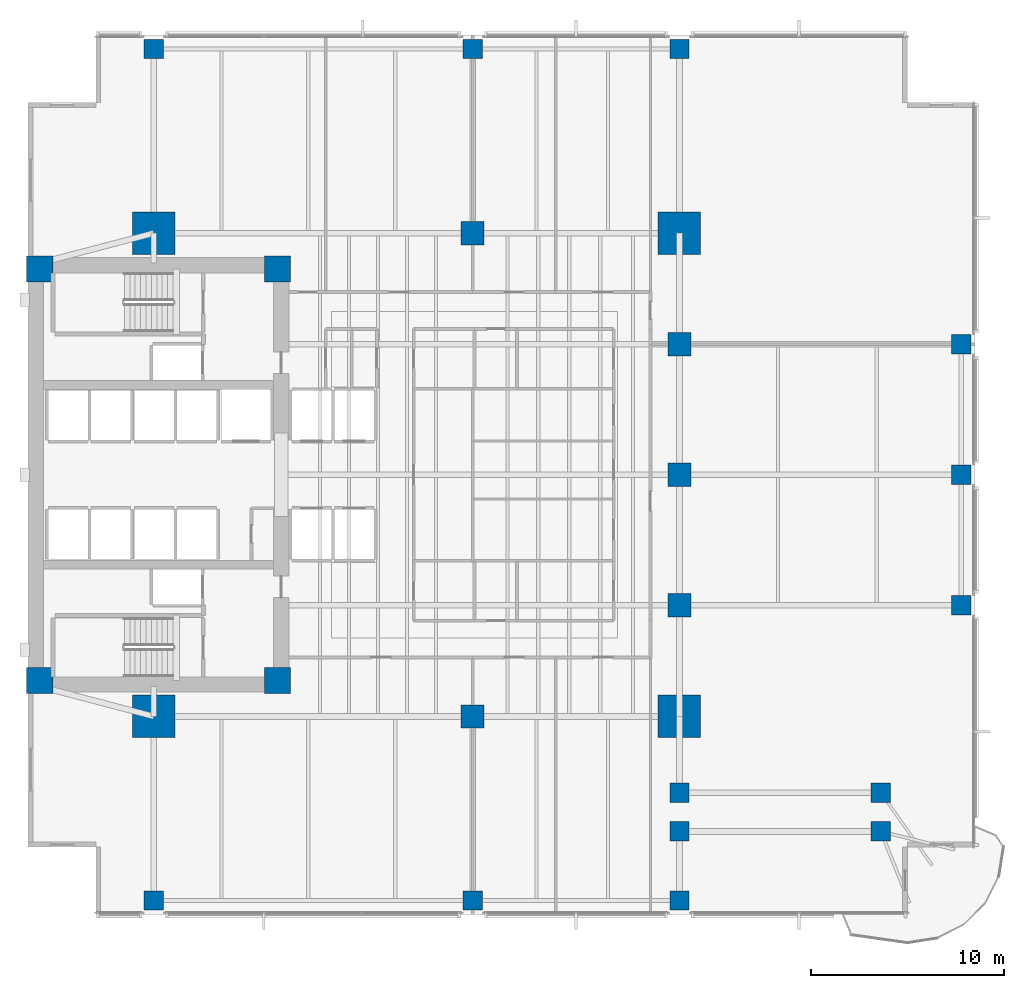
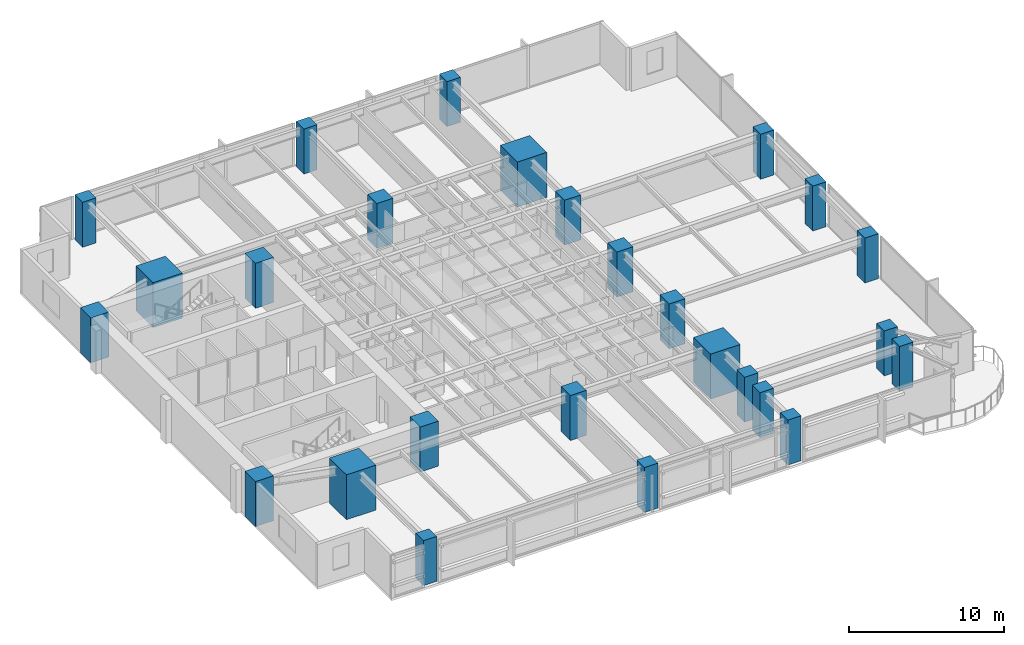
# One storey, part 1 of 15: 26 columns.
"""IFC4 building model written with IfcOpenShell, lengths in metres."""

from ifc_helpers import new_model, si_unit, direction, frame, origin, origin_2d, place, context, subcontext, project, spatial, rectangle, extrude, material, material_profile, profile_set, type_object, element, save


model = new_model("IFC4")

# Units and contexts
model_context = context("Model", 3, precision=1e-05, world=origin(), true_north=direction((0.0, 1.0)))
body_context = subcontext(model_context, "Body", "Model", "MODEL_VIEW")
ifc_project = project(units=[si_unit("LENGTHUNIT", "METRE"), si_unit("AREAUNIT", "SQUARE_METRE"), si_unit("VOLUMEUNIT", "CUBIC_METRE"), si_unit("PLANEANGLEUNIT", "RADIAN"), si_unit("MASSUNIT", "GRAM", prefix="KILO")], contexts=[model_context])

# Site, building, storey
site_placement = place(None, origin())
site = spatial("IfcSite", under=ifc_project, at=site_placement, CompositionType="ELEMENT")
building_placement = place(site_placement, origin())
building = spatial("IfcBuilding", under=site, at=building_placement, Name="Kinhvarn Gate Tower", CompositionType="ELEMENT")
storey_placement = place(building_placement, frame((0.0, 0.0, 75.300048828125)))
storey = spatial("IfcBuildingStorey", under=building, at=storey_placement, Name="L19", CompositionType="ELEMENT", Elevation=75.300048828125)

# Columns
ifc_material_1 = material(Name="Concrete C70/85", Category="concrete")
ifc_material_profile_1 = material_profile(ifc_material_1, rectangle(XDim=2.199951171875, YDim=2.199951171875, at=origin_2d()), Name="RC 2200x2200")
ifc_profile_set_1 = profile_set([ifc_material_profile_1], Name="Concrete C70/85")
column_type_1 = type_object("IfcColumnType", Name="COL-MC-2200", PredefinedType="COLUMN", material=ifc_profile_set_1)
for number, where, z_axis, x_axis, name in (
    (1, (11.0, 12.75, 0.0), (0.0, 0.0, 1.0), (1.0, 0.0, 0.0), "Column MC1-L19 (MC-22)"),
    (2, (11.0, 37.75, 0.0), (0.0, 0.0, 1.0), (1.0, 0.0, 0.0), "Column MC4-L19 (MC-22)"),
    (3, (38.199951171875, 12.75, 0.0), (0.0, 0.0, 1.0), (1.0, 0.0, 0.0), "Column MC2-L19 (MC-22)"),
    (4, (38.199951171875, 37.75, 0.0), (0.0, 0.0, 1.0), (1.0, 0.0, 0.0), "Column MC3-L19 (MC-22)"),
):
    element("IfcColumn", number, at=place(storey_placement, frame(where, z_axis=z_axis, x_axis=x_axis)), inside=storey, type_object=column_type_1, Name=name, PredefinedType="COLUMN", context=body_context, shape_type="SweptSolid", body=[
        extrude(rectangle(XDim=2.199951171875, YDim=2.199951171875, at=origin_2d()), origin(), (0.0, 0.0, 1.0), 3.550048828125),
    ])
ifc_material_2 = material(Name="Concrete C60/75", Category="concrete")
ifc_material_profile_2 = material_profile(ifc_material_2, rectangle(XDim=1.0, YDim=1.0, at=origin_2d()), Name="RC 1000x1000")
ifc_profile_set_2 = profile_set([ifc_material_profile_2], Name="Concrete C60/75")
column_type_2 = type_object("IfcColumnType", Name="COL-RC-1000", PredefinedType="COLUMN", material=ifc_profile_set_2)
for number, where, z_axis, x_axis, name in (
    (5, (48.6201171875, 6.800048828125, 0.0), (0.0, 0.0, 1.0), (1.0, 0.0, 0.0), "Column CS-SE1-L19 (C-100)"),
    (6, (38.199951171875, 6.800048828125, 0.0), (0.0, 0.0, 1.0), (1.0, 0.0, 0.0), "Column CS-ANC68-L19 (C-100)"),
    (7, (38.199951171875, 8.800048828125, 0.0), (0.0, 0.0, 1.0), (1.0, 0.0, 0.0), "Column CS-ANC88-L19 (C-100)"),
    (8, (48.6201171875, 8.800048828125, 0.0), (0.0, 0.0, 1.0), (1.0, 0.0, 0.0), "Column CS-SE1B-L19 (C-100)"),
    (9, (52.780029296875, 18.5, 0.0), (0.0, 0.0, 1.0), (1.0, 0.0, 0.0), "Column CE-1-L19 (C-100)"),
    (10, (52.780029296875, 25.25, 0.0), (0.0, 0.0, 1.0), (1.0, 0.0, 0.0), "Column CE-2-L19 (C-100)"),
    (11, (52.780029296875, 32.0, 0.0), (0.0, 0.0, 1.0), (1.0, 0.0, 0.0), "Column CE-3-L19 (C-100)"),
    (12, (11.0, 3.219970703125, 0.0), (0.0, 0.0, 1.0), (1.0, 0.0, 0.0), "Column CS-0-L19 (C-100)"),
    (13, (27.5, 3.219970703125, 0.0), (0.0, 0.0, 1.0), (1.0, 0.0, 0.0), "Column CS-1-L19 (C-100)"),
    (14, (38.199951171875, 3.219970703125, 0.0), (0.0, 0.0, 1.0), (1.0, 0.0, 0.0), "Column CS-2-L19 (C-100)"),
    (15, (11.0, 47.280029296875, 0.0), (0.0, 0.0, 1.0), (1.0, 0.0, 0.0), "Column CN-0-L19 (C-100)"),
    (16, (27.5, 47.280029296875, 0.0), (0.0, 0.0, 1.0), (1.0, 0.0, 0.0), "Column CN-1-L19 (C-100)"),
    (17, (38.199951171875, 47.280029296875, 0.0), (0.0, 0.0, 1.0), (1.0, 0.0, 0.0), "Column CN-2-L19 (C-100)"),
):
    element("IfcColumn", number, at=place(storey_placement, frame(where, z_axis=z_axis, x_axis=x_axis)), inside=storey, type_object=column_type_2, Name=name, PredefinedType="COLUMN", context=body_context, shape_type="SweptSolid", body=[
        extrude(rectangle(XDim=1.0, YDim=1.0, at=origin_2d()), origin(), (0.0, 0.0, 1.0), 3.550048828125),
    ])
ifc_material_profile_3 = material_profile(ifc_material_2, rectangle(XDim=1.199951171875, YDim=1.199951171875, at=origin_2d()), Name="RC 1200x1200")
ifc_profile_set_3 = profile_set([ifc_material_profile_3], Name="Concrete C60/75")
column_type_3 = type_object("IfcColumnType", Name="COL-RC-1200", PredefinedType="COLUMN", material=ifc_profile_set_3)
for number, where, z_axis, x_axis, name in (
    (18, (27.5, 12.75, 0.0), (0.0, 0.0, 1.0), (1.0, 0.0, 0.0), "Column SP27-S-L19 (C-120)"),
    (19, (27.5, 37.75, 0.0), (0.0, 0.0, 1.0), (1.0, 0.0, 0.0), "Column SP27-N-L19 (C-120)"),
    (20, (38.199951171875, 18.5, 0.0), (0.0, 0.0, 1.0), (1.0, 0.0, 0.0), "Column SP38-E1-L19 (C-120)"),
    (21, (38.199951171875, 25.25, 0.0), (0.0, 0.0, 1.0), (1.0, 0.0, 0.0), "Column SP38-E2-L19 (C-120)"),
    (22, (38.199951171875, 32.0, 0.0), (0.0, 0.0, 1.0), (1.0, 0.0, 0.0), "Column SP38-E3-L19 (C-120)"),
):
    element("IfcColumn", number, at=place(storey_placement, frame(where, z_axis=z_axis, x_axis=x_axis)), inside=storey, type_object=column_type_3, Name=name, PredefinedType="COLUMN", context=body_context, shape_type="SweptSolid", body=[
        extrude(rectangle(XDim=1.199951171875, YDim=1.199951171875, at=origin_2d()), origin(), (0.0, 0.0, 1.0), 3.550048828125),
    ])
ifc_material_profile_4 = material_profile(ifc_material_1, rectangle(XDim=1.35009765625, YDim=1.35009765625, at=origin_2d()), Name="RC 1350x1350")
ifc_profile_set_4 = profile_set([ifc_material_profile_4], Name="Concrete C70/85")
column_type_4 = type_object("IfcColumnType", Name="PIL-RC-1350", PredefinedType="PILASTER", material=ifc_profile_set_4)
for number, where, z_axis, x_axis, name in (
    (23, (5.10009765625, 14.60009765625, 0.0), (0.0, 0.0, 1.0), (1.0, 0.0, 0.0), "Column CC-SW-L19 (CP-135)"),
    (24, (5.10009765625, 35.89990234375, 0.0), (0.0, 0.0, 1.0), (1.0, 0.0, 0.0), "Column CC-NW-L19 (CP-135)"),
    (25, (17.39990234375, 14.60009765625, 0.0), (0.0, 0.0, 1.0), (1.0, 0.0, 0.0), "Column CC-SE-L19 (CP-135)"),
    (26, (17.39990234375, 35.89990234375, 0.0), (0.0, 0.0, 1.0), (1.0, 0.0, 0.0), "Column CC-NE-L19 (CP-135)"),
):
    element("IfcColumn", number, at=place(storey_placement, frame(where, z_axis=z_axis, x_axis=x_axis)), inside=storey, type_object=column_type_4, Name=name, PredefinedType="PILASTER", context=body_context, shape_type="SweptSolid", body=[
        extrude(rectangle(XDim=1.35009765625, YDim=1.35009765625, at=origin_2d()), origin(), (0.0, 0.0, 1.0), 3.550048828125),
    ])

save(model, "model.ifc")
